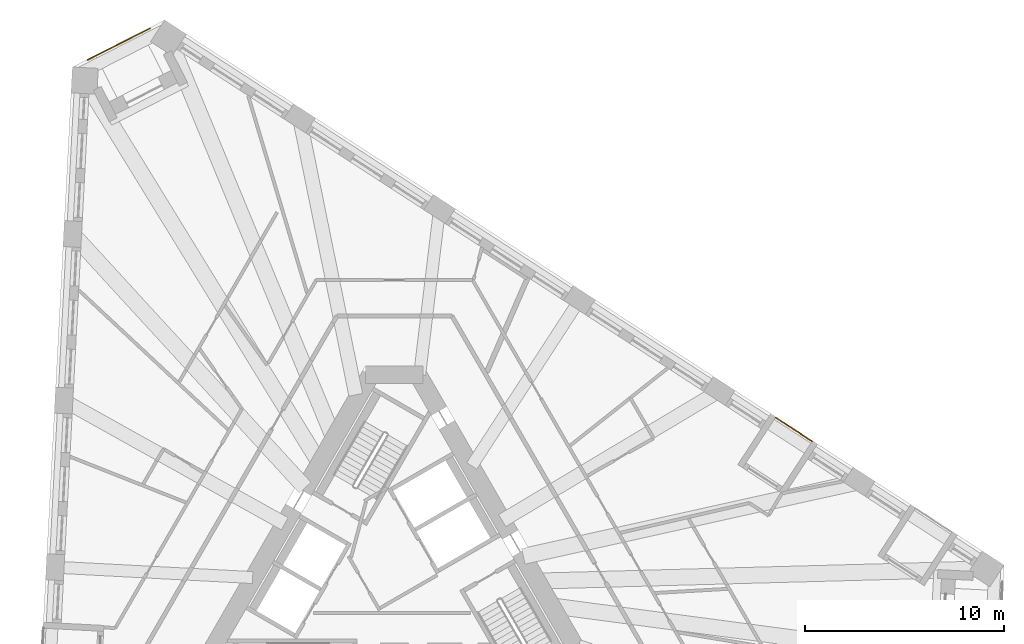
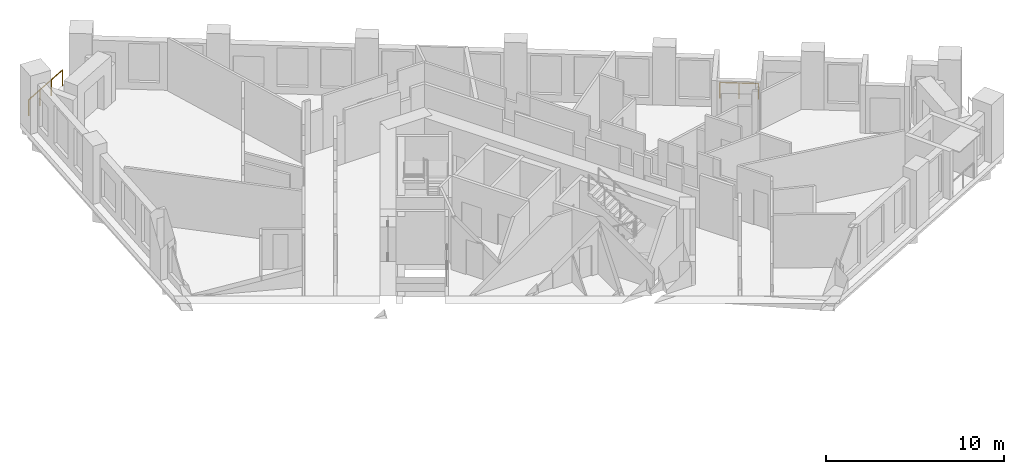
# One storey, part 13 of 13: 2 railings.
"""IFC4 building model written with IfcOpenShell, lengths in metres."""

from ifc_helpers import new_model, si_unit, direction, frame, origin, origin_2d, place, context, subcontext, project, spatial, circle, extrude, material, type_object, element, save


model = new_model("IFC4")

# Units and contexts
model_context = context("Model", 3, precision=1e-05, world=origin(), true_north=direction((0.0, 1.0)))
body_context = subcontext(model_context, "Body", "Model", "MODEL_VIEW")
ifc_project = project(units=[si_unit("LENGTHUNIT", "METRE"), si_unit("AREAUNIT", "SQUARE_METRE"), si_unit("VOLUMEUNIT", "CUBIC_METRE"), si_unit("PLANEANGLEUNIT", "RADIAN"), si_unit("MASSUNIT", "GRAM", prefix="KILO")], contexts=[model_context])

# Site, building, storey
site_placement = place(None, origin())
site = spatial("IfcSite", under=ifc_project, at=site_placement, CompositionType="ELEMENT")
building_placement = place(site_placement, origin())
building = spatial("IfcBuilding", under=site, at=building_placement, Name="Tramontana Tower", CompositionType="ELEMENT")
storey_placement = place(building_placement, frame((0.0, 0.0, 137.60009765625)))
storey = spatial("IfcBuildingStorey", under=building, at=storey_placement, Name="L31", CompositionType="ELEMENT", Elevation=137.60009765625)

# Railings
ifc_material = material(Name="Laminated glass balustrade", Category="glass")
railing_type = type_object("IfcRailingType", Name="GD1 Loggia glass balustrade 1100", PredefinedType="BALUSTRADE", material=ifc_material)
railing_1_placement = place(storey_placement, frame((20.96484375, 7.2158203125, 0.0)))
element("IfcRailing", 1, at=railing_1_placement, inside=storey, type_object=railing_type, Name="Loggia balustrade L31 G3S2.4", PredefinedType="BALUSTRADE", context=body_context, shape_type="SweptSolid", body=[
    extrude(circle(Radius=0.02392578125, at=origin_2d()), frame((0.0, 0.0, 1.076171875), z_axis=(-0.838659986147, 0.544655329209, 0.0), x_axis=(-0.544655329209, -0.838659986147, 0.0)), (0.0, 0.0, 1.0), 2.190673828125),
    extrude(circle(Radius=0.02099609375, at=origin_2d()), origin(), (0.0, 0.0, 1.0), 1.052001953125),
    extrude(circle(Radius=0.02099609375, at=origin_2d()), frame((-0.91845703125, 0.5966796875, 0.0)), (0.0, 0.0, 1.0), 1.052001953125),
    extrude(circle(Radius=0.02099609375, at=origin_2d()), frame((-1.837158203125, 1.193115234375, 0.0)), (0.0, 0.0, 1.0), 1.052001953125),
])
railing_2_placement = place(storey_placement, frame((-15.392333984375, 26.3544921875, 0.0)))
element("IfcRailing", 2, at=railing_2_placement, inside=storey, type_object=railing_type, Name="Corner loggia balustrade L31 K30", PredefinedType="BALUSTRADE", context=body_context, shape_type="SweptSolid", body=[
    extrude(circle(Radius=0.02392578125, at=origin_2d()), frame((0.0, 0.0, 1.076171875), z_axis=(0.891011280655, 0.453981164527, 0.0), x_axis=(-0.453981164527, 0.891011280655, 0.0)), (0.0, 0.0, 1.0), 3.499755859375),
    extrude(circle(Radius=0.02099609375, at=origin_2d()), origin(), (0.0, 0.0, 1.0), 1.052001953125),
    extrude(circle(Radius=0.02099609375, at=origin_2d()), frame((1.03955078125, 0.529541015625, 0.0)), (0.0, 0.0, 1.0), 1.052001953125),
    extrude(circle(Radius=0.02099609375, at=origin_2d()), frame((2.078857421875, 1.059326171875, 0.0)), (0.0, 0.0, 1.0), 1.052001953125),
    extrude(circle(Radius=0.02099609375, at=origin_2d()), frame((3.118408203125, 1.5888671875, 0.0)), (0.0, 0.0, 1.0), 1.052001953125),
])

save(model, "model.ifc")
